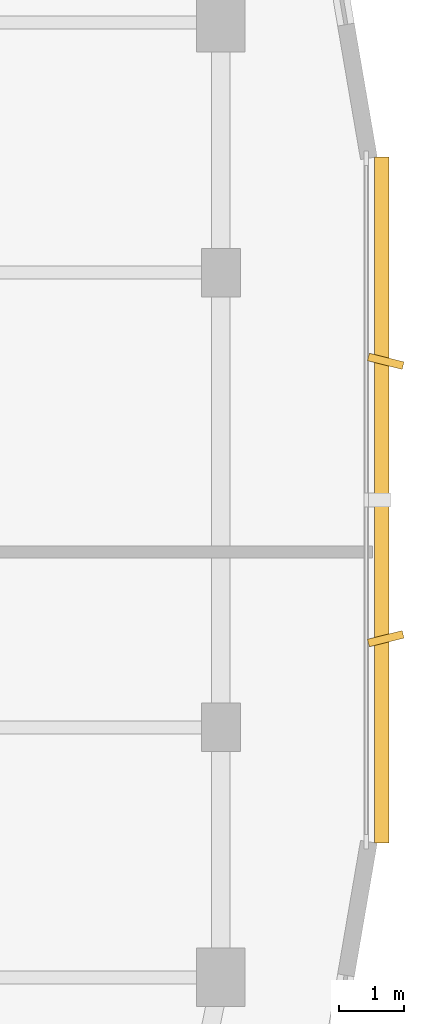
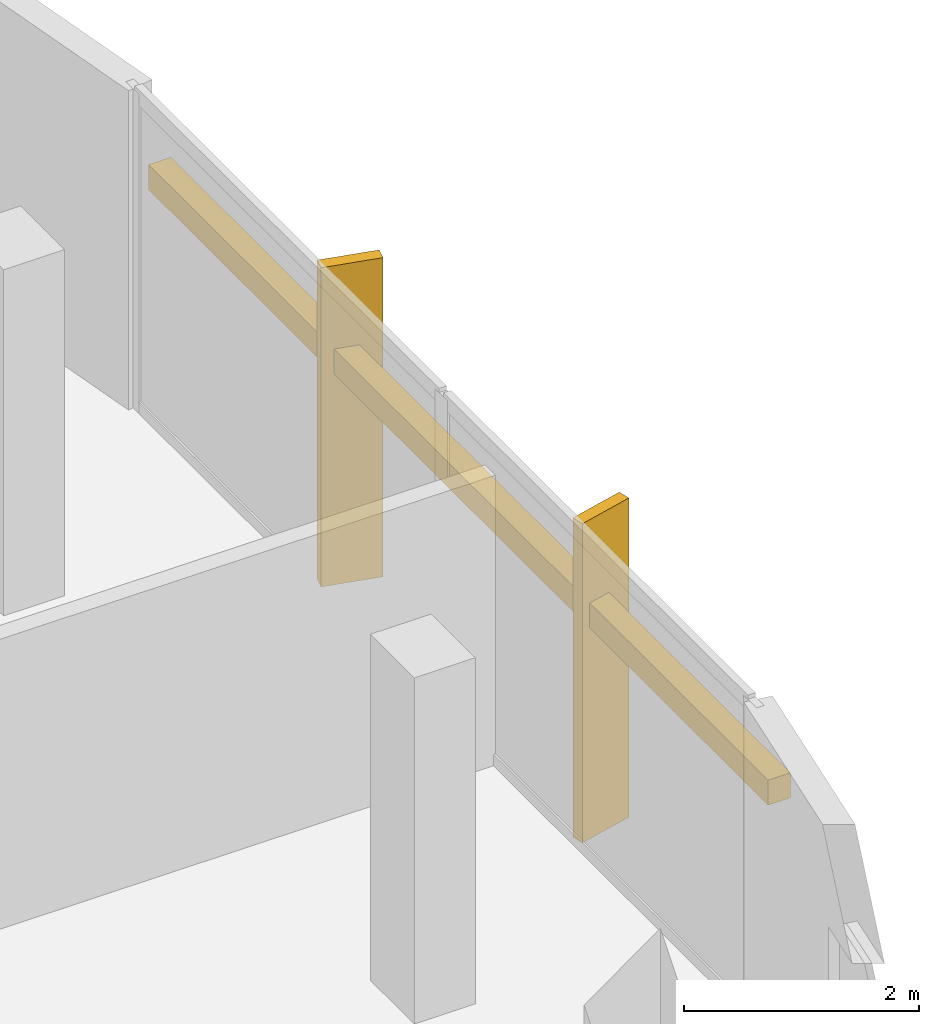
# One storey, part 8 of 8: 3 shading devices.
"""IFC4 building model written with IfcOpenShell, lengths in metres."""

from ifc_helpers import new_model, si_unit, derived_unit, direction, frame, origin, origin_2d, place, context, subcontext, project, spatial, rectangle, extrude, material, type_object, element, save


model = new_model("IFC4")

# Units and contexts
model_context = context("Model", 3, precision=1e-05, world=origin(), true_north=direction((0.0, 1.0)))
body_context = subcontext(model_context, "Body", "Model", "MODEL_VIEW")
ifc_project = project(units=[si_unit("LENGTHUNIT", "METRE"), si_unit("AREAUNIT", "SQUARE_METRE"), si_unit("VOLUMEUNIT", "CUBIC_METRE"), si_unit("PLANEANGLEUNIT", "RADIAN"), si_unit("MASSUNIT", "GRAM", prefix="KILO"), derived_unit("THERMALTRANSMITTANCEUNIT", [(si_unit("POWERUNIT", "WATT"), 1), (si_unit("LENGTHUNIT", "METRE"), -2), (si_unit("THERMODYNAMICTEMPERATUREUNIT", "KELVIN"), -1)])], contexts=[model_context])

# Site, building, storey
site_placement = place(None, origin())
site = spatial("IfcSite", under=ifc_project, at=site_placement, CompositionType="ELEMENT")
building_placement = place(site_placement, origin())
building = spatial("IfcBuilding", under=site, at=building_placement, Name="Kivonza Crest Hotel", CompositionType="ELEMENT")
storey_placement = place(building_placement, frame((0.0, 0.0, 261.199951171875)))
storey = spatial("IfcBuildingStorey", under=building, at=storey_placement, Name="L71", CompositionType="ELEMENT", Elevation=261.199951171875)

# Shading devices
ifc_material_1 = material(Name="Kiln-fired Nairobi red-ochre terracotta", Category="masonry")
shading_device_type_1 = type_object("IfcShadingDeviceType", Name="SH-BAGUETTE-300", PredefinedType="USERDEFINED", material=ifc_material_1)
shading_device_placement = place(storey_placement, frame((38.280029296875, 25.0, 2.19384765625), z_axis=(0.0, 0.0, 1.0), x_axis=(0.0, 1.0, 0.0)))
element("IfcShadingDevice", 1, at=shading_device_placement, inside=storey, type_object=shading_device_type_1, Name="L71 terracotta baguette screen CW-T1-L71-17", ObjectType="BAGUETTE", PredefinedType="USERDEFINED", context=body_context, shape_type="SweptSolid", body=[
    extrude(rectangle(XDim=10.56005859375, YDim=0.219970703125, at=origin_2d()), origin(), (0.0, 0.0, 1.0), 0.260009765625),
])
ifc_material_2 = material(Name="Kiln-fired terracotta over extruded aluminium spine", Category="masonry")
shading_device_type_2 = type_object("IfcShadingDeviceType", Name="SH-FIN-550", PredefinedType="USERDEFINED", material=ifc_material_2)
for number, where, z_axis, x_axis, name in (
    (2, (38.340087890625, 22.864013671875, 0.0), (0.0, 0.0, 1.0), (-0.2419218956, 0.970295726276, 0.0), "L71 vertical solar shading fin CW-T1-L71-17-1"),
    (3, (38.340087890625, 27.135986328125, 0.0), (0.0, 0.0, 1.0), (0.2419218956, 0.970295726276, 0.0), "L71 vertical solar shading fin CW-T1-L71-17-2"),
):
    element("IfcShadingDevice", number, at=place(storey_placement, frame(where, z_axis=z_axis, x_axis=x_axis)), inside=storey, type_object=shading_device_type_2, Name=name, ObjectType="FIN", PredefinedType="USERDEFINED", context=body_context, shape_type="SweptSolid", body=[
        extrude(rectangle(XDim=0.1201171875, YDim=0.550048828125, at=origin_2d()), origin(), (0.0, 0.0, 1.0), 3.320068359375),
    ])

save(model, "model.ifc")
